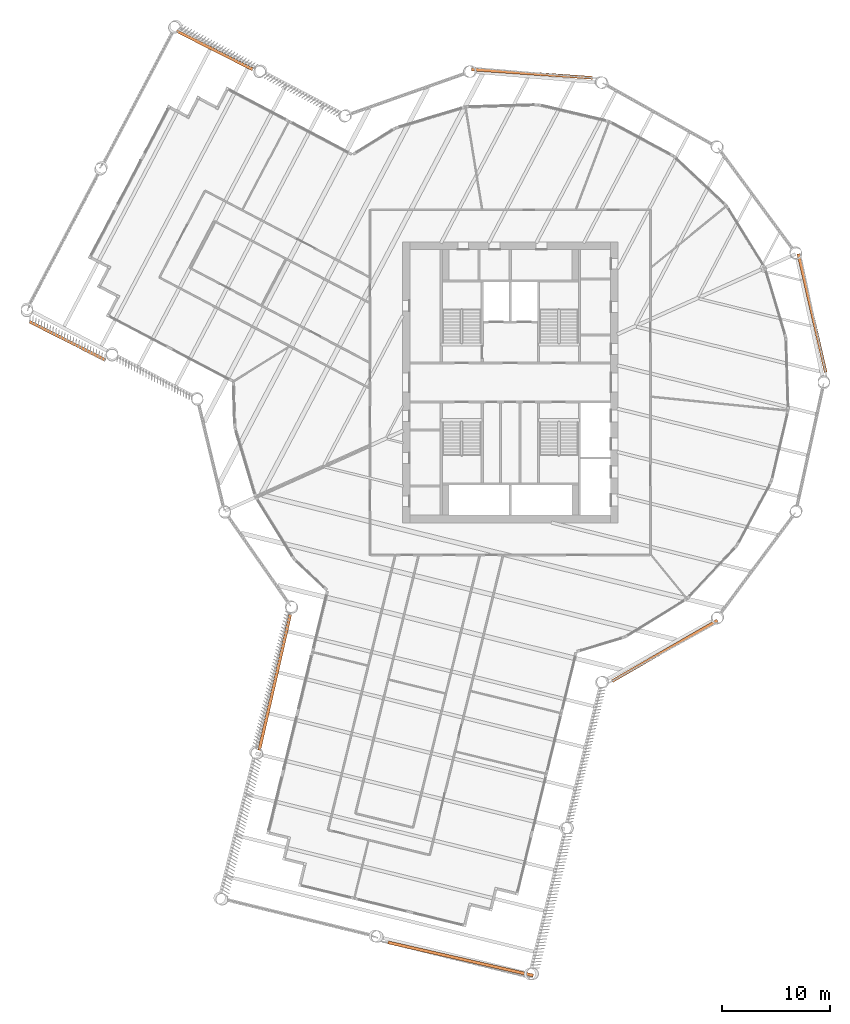
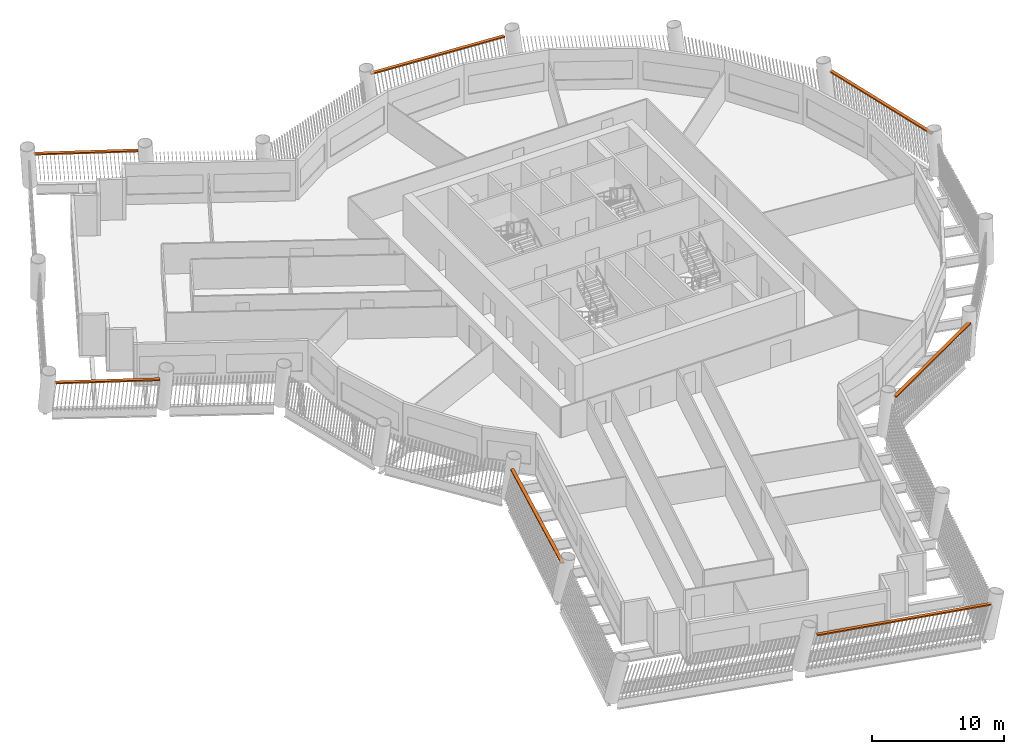
# One storey, part 15 of 15: 7 proxies.
"""IFC4 building model written with IfcOpenShell, lengths in metres."""

from ifc_helpers import new_model, si_unit, direction, frame, origin, origin_2d, place, context, subcontext, project, spatial, rectangle, extrude, material, type_object, element, save


model = new_model("IFC4")

# Units and contexts
model_context = context("Model", 3, precision=1e-05, world=origin(), true_north=direction((0.0, 1.0)))
body_context = subcontext(model_context, "Body", "Model", "MODEL_VIEW")
ifc_project = project(units=[si_unit("LENGTHUNIT", "METRE"), si_unit("AREAUNIT", "SQUARE_METRE"), si_unit("VOLUMEUNIT", "CUBIC_METRE"), si_unit("PLANEANGLEUNIT", "RADIAN"), si_unit("MASSUNIT", "GRAM", prefix="KILO")], contexts=[model_context])

# Site, building, storey
site_placement = place(None, origin())
site = spatial("IfcSite", under=ifc_project, at=site_placement, CompositionType="ELEMENT")
building_placement = place(site_placement, origin())
building = spatial("IfcBuilding", under=site, at=building_placement, Name="Tarsis Ring Headquarters", CompositionType="ELEMENT")
storey_placement = place(building_placement, frame((0.0, 0.0, 167.10009765625)))
storey = spatial("IfcBuildingStorey", under=building, at=storey_placement, Name="L38", CompositionType="ELEMENT", Elevation=167.10009765625)

# Proxies
ifc_material = material(Name="Structural steel S355", Category="steel")
building_element_proxy_type = type_object("IfcBuildingElementProxyType", Name="Screen bracket plate", PredefinedType="USERDEFINED", material=ifc_material)
proxy_1_placement = place(storey_placement, frame((-21.82666015625, -27.78564453125, 2.949951171875), z_axis=(0.0, 0.0, 1.0), x_axis=(-0.222569549971, -0.974916814618, 0.0)))
element("IfcBuildingElementProxy", 1, at=proxy_1_placement, inside=storey, type_object=building_element_proxy_type, Name="Screen bracket L38-01", ObjectType="Bracket", PredefinedType="USERDEFINED", context=body_context, shape_type="SweptSolid", body=[
    extrude(rectangle(XDim=12.90234375, YDim=0.280029296875, at=origin_2d()), origin(), (0.0, 0.0, 1.0), 0.1201171875),
])
proxy_2_placement = place(storey_placement, frame((-4.60302734375, -53.41015625, 2.949951171875), z_axis=(0.0, 0.0, 1.0), x_axis=(0.974916806849, -0.222569584002, 0.0)))
element("IfcBuildingElementProxy", 2, at=proxy_2_placement, inside=storey, type_object=building_element_proxy_type, Name="Screen bracket L38-04", ObjectType="Bracket", PredefinedType="USERDEFINED", context=body_context, shape_type="SweptSolid", body=[
    extrude(rectangle(XDim=13.800048828125, YDim=0.280029296875, at=origin_2d()), origin(), (0.0, 0.0, 1.0), 0.1201171875),
])
for number, where, z_axis, x_axis, name in (
    (3, (14.31982421875, -24.861328125, 2.949951171875), (0.0, 0.0, 1.0), (0.866537421112, 0.499112109464, 0.0), "Screen bracket L38-07"),
    (4, (27.958740234375, 6.438720703125, 2.949951171875), (0.0, 0.0, 1.0), (-0.224419618497, 0.974492603786, 0.0), "Screen bracket L38-10"),
    (5, (2.003173828125, 28.62060546875, 2.949951171875), (0.0, 0.0, 1.0), (-0.997559453326, 0.069822181866, 0.0), "Screen bracket L38-13"),
):
    element("IfcBuildingElementProxy", number, at=place(storey_placement, frame(where, z_axis=z_axis, x_axis=x_axis)), inside=storey, type_object=building_element_proxy_type, Name=name, ObjectType="Bracket", PredefinedType="USERDEFINED", context=body_context, shape_type="SweptSolid", body=[
        extrude(rectangle(XDim=11.248779296875, YDim=0.280029296875, at=origin_2d()), origin(), (0.0, 0.0, 1.0), 0.1201171875),
    ])
for number, where, z_axis, x_axis, name in (
    (6, (-27.391357421875, 30.79296875, 2.949951171875), (0.0, 0.0, 1.0), (-0.892113131839, 0.451812084832, 0.0), "Screen bracket L38-16"),
    (7, (-41.03173828125, 3.860107421875, 2.949951171875), (0.0, 0.0, 1.0), (0.892113179153, -0.45181199141, 0.0), "Screen bracket L38-19"),
):
    element("IfcBuildingElementProxy", number, at=place(storey_placement, frame(where, z_axis=z_axis, x_axis=x_axis)), inside=storey, type_object=building_element_proxy_type, Name=name, ObjectType="Bracket", PredefinedType="USERDEFINED", context=body_context, shape_type="SweptSolid", body=[
        extrude(rectangle(XDim=7.90234375, YDim=0.280029296875, at=origin_2d()), origin(), (0.0, 0.0, 1.0), 0.1201171875),
    ])

save(model, "model.ifc")
